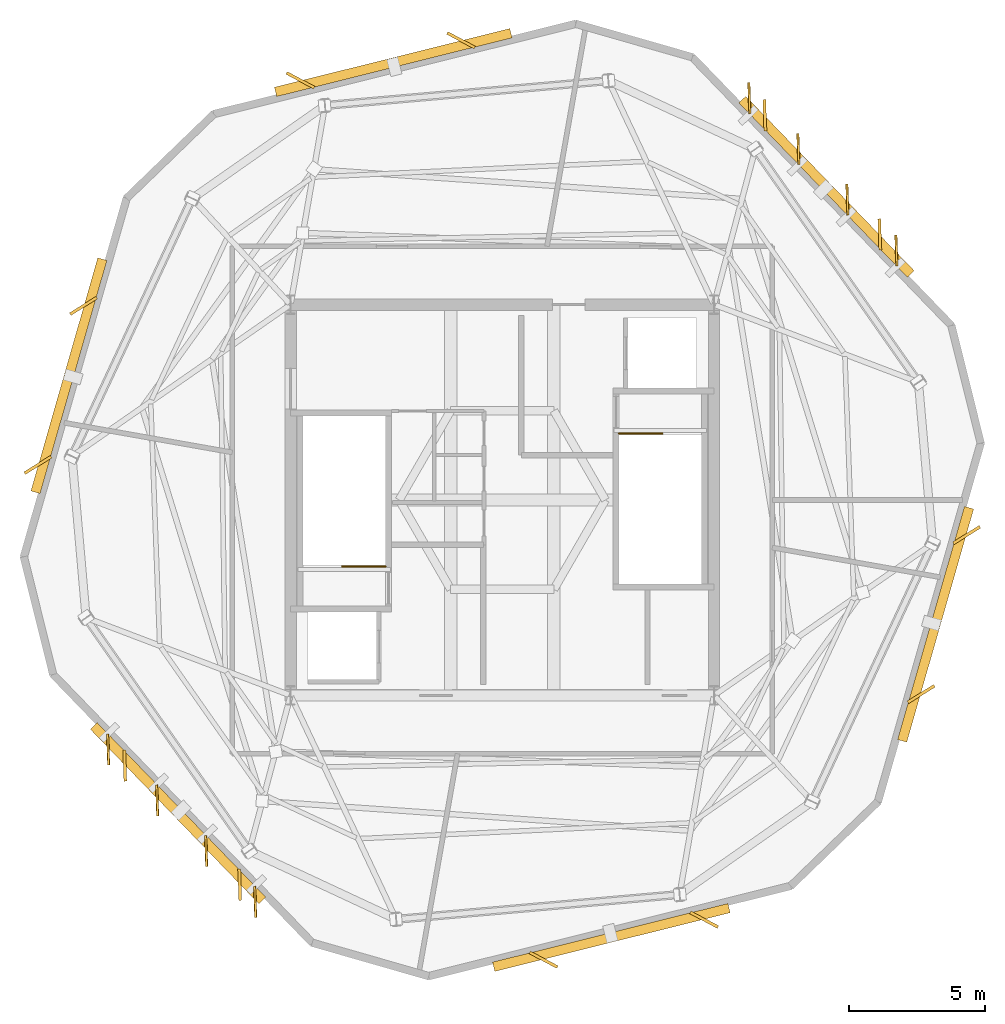
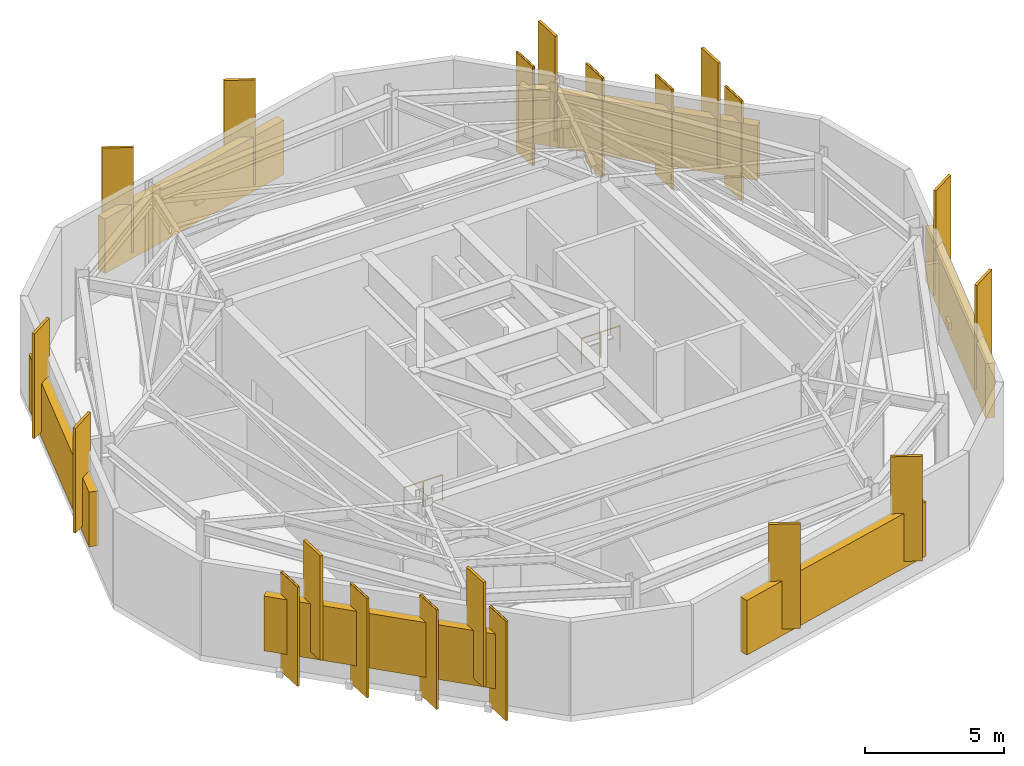
# One storey, part 5 of 5: 20 coverings, 14 shading devices, 2 railings.
"""IFC4 building model written with IfcOpenShell, lengths in metres."""

from ifc_helpers import new_model, si_unit, direction, frame, origin, origin_2d, place, context, subcontext, project, spatial, rectangle, circle, extrude, material, layer, layer_set, type_object, element, save


model = new_model("IFC4")

# Units and contexts
model_context = context("Model", 3, precision=1e-05, world=origin(), true_north=direction((0.0, 1.0)))
body_context = subcontext(model_context, "Body", "Model", "MODEL_VIEW")
ifc_project = project(units=[si_unit("LENGTHUNIT", "METRE"), si_unit("AREAUNIT", "SQUARE_METRE"), si_unit("VOLUMEUNIT", "CUBIC_METRE"), si_unit("PLANEANGLEUNIT", "RADIAN"), si_unit("MASSUNIT", "GRAM", prefix="KILO")], contexts=[model_context])

# Site, building, storey
site_placement = place(None, origin())
site = spatial("IfcSite", under=ifc_project, at=site_placement, CompositionType="ELEMENT")
building_placement = place(site_placement, origin())
building = spatial("IfcBuilding", under=site, at=building_placement, Name="Kranzbogen Civic Tower", CompositionType="ELEMENT")
storey_placement = place(building_placement, frame((0.0, 0.0, 322.60009765625)))
storey = spatial("IfcBuildingStorey", under=building, at=storey_placement, Name="L78", CompositionType="ELEMENT", Elevation=322.60009765625)

# Coverings
ifc_material_1 = material(Name="Pale Anodised Aluminium", Category="aluminium")
ifc_layer = layer(ifc_material_1, 0.02490234375, Name="Pale Anodised Aluminium")
ifc_layer_set = layer_set([ifc_layer], Name="Pale Anodised Aluminium")
covering_type = type_object("IfcCoveringType", Name="Anodised Aluminium Vertical Fin Cladding 25 mm", PredefinedType="CLADDING", material=ifc_layer_set)
for number, where, z_axis, x_axis, name in (
    (1, (10.47802734375, 15.803955078125, -0.14013671875), (0.0, 0.0, 1.0), (0.034899496703, -0.999390827019, 0.0), "L78 vertical fin pale-metal cladding F3-1"),
    (2, (12.283935546875, 13.93310546875, -0.14013671875), (0.0, 0.0, 1.0), (0.034899496703, -0.999390827019, 0.0), "L78 vertical fin pale-metal cladding F3-2"),
    (3, (14.090087890625, 12.06298828125, -0.14013671875), (0.0, 0.0, 1.0), (0.034899496703, -0.999390827019, 0.0), "L78 vertical fin pale-metal cladding F3-3"),
    (4, (15.89599609375, 10.193115234375, -0.14013671875), (0.0, 0.0, 1.0), (0.034899496703, -0.999390827019, 0.0), "L78 vertical fin pale-metal cladding F3-4"),
    (5, (39.52197265625, 34.196044921875, -0.14013671875), (0.0, 0.0, 1.0), (-0.034899496703, 0.999390827019, 0.0), "L78 vertical fin pale-metal cladding F6-1"),
    (6, (37.716064453125, 36.06689453125, -0.14013671875), (0.0, 0.0, 1.0), (-0.034899496703, 0.999390827019, 0.0), "L78 vertical fin pale-metal cladding F6-2"),
    (7, (35.909912109375, 37.93701171875, -0.14013671875), (0.0, 0.0, 1.0), (-0.034899496703, 0.999390827019, 0.0), "L78 vertical fin pale-metal cladding F6-3"),
    (8, (34.10400390625, 39.806884765625, -0.14013671875), (0.0, 0.0, 1.0), (-0.034899496703, 0.999390827019, 0.0), "L78 vertical fin pale-metal cladding F6-4"),
):
    element("IfcCovering", number, at=place(storey_placement, frame(where, z_axis=z_axis, x_axis=x_axis)), inside=storey, type_object=covering_type, Name=name, PredefinedType="CLADDING", context=body_context, shape_type="SweptSolid", body=[
        extrude(rectangle(XDim=1.14990234375, YDim=0.094970703125, at=origin_2d()), origin(), (0.0, 0.0, 1.0), 4.360107421875),
    ])
for number, where, z_axis, x_axis, name in (
    (9, (23.47802734375, 41.93994140625, 1.14990234375), (0.0, 0.0, 1.0), (-0.882947592859, 0.469471562786, 0.0), "L78 crown roof framing vertical fin F1-1"),
    (10, (17.56201171875, 40.465087890625, 1.14990234375), (0.0, 0.0, 1.0), (-0.882947592859, 0.469471562786, 0.0), "L78 crown roof framing vertical fin F1-2"),
    (11, (9.569091796875, 32.152099609375, 1.14990234375), (0.0, 0.0, 1.0), (-0.848048096156, -0.529919264233, 0.0), "L78 crown roof framing vertical fin F2-1"),
    (12, (7.888916015625, 26.291015625, 1.14990234375), (0.0, 0.0, 1.0), (-0.848048096156, -0.529919264233, 0.0), "L78 crown roof framing vertical fin F2-2"),
    (13, (11.091064453125, 15.2119140625, 1.14990234375), (0.0, 0.0, 1.0), (0.034899496703, -0.999390827019, 0.0), "L78 crown roof framing vertical fin F3-1"),
    (14, (15.325927734375, 10.825927734375, 1.14990234375), (0.0, 0.0, 1.0), (0.034899496703, -0.999390827019, 0.0), "L78 crown roof framing vertical fin F3-2"),
    (15, (26.52197265625, 8.06005859375, 1.14990234375), (0.0, 0.0, 1.0), (0.882947592859, -0.469471562786, 0.0), "L78 crown roof framing vertical fin F4-1"),
    (16, (32.43798828125, 9.534912109375, 1.14990234375), (0.0, 0.0, 1.0), (0.882947592859, -0.469471562786, 0.0), "L78 crown roof framing vertical fin F4-2"),
    (17, (40.430908203125, 17.847900390625, 1.14990234375), (0.0, 0.0, 1.0), (0.848048096156, 0.529919264233, 0.0), "L78 crown roof framing vertical fin F5-1"),
    (18, (42.111083984375, 23.708984375, 1.14990234375), (0.0, 0.0, 1.0), (0.848048096156, 0.529919264233, 0.0), "L78 crown roof framing vertical fin F5-2"),
    (19, (38.908935546875, 34.7880859375, 1.14990234375), (0.0, 0.0, 1.0), (-0.034899496703, 0.999390827019, 0.0), "L78 crown roof framing vertical fin F6-1"),
    (20, (34.674072265625, 39.174072265625, 1.14990234375), (0.0, 0.0, 1.0), (-0.034899496703, 0.999390827019, 0.0), "L78 crown roof framing vertical fin F6-2"),
):
    element("IfcCovering", number, at=place(storey_placement, frame(where, z_axis=z_axis, x_axis=x_axis)), inside=storey, type_object=covering_type, Name=name, PredefinedType="CLADDING", context=body_context, shape_type="SweptSolid", body=[
        extrude(rectangle(XDim=1.14990234375, YDim=0.110107421875, at=origin_2d()), origin(), (0.0, 0.0, 1.0), 4.60009765625),
    ])

# Railings
ifc_material_2 = material(Name="Steel S355", Category="steel")
railing_type = type_object("IfcRailingType", Name="Internal Stair and Void Steel Guardrail 1150", PredefinedType="GUARDRAIL", material=ifc_material_2)
railing_1_placement = place(storey_placement, frame((20.699951171875, 22.550048828125, 0.0)))
element("IfcRailing", 21, at=railing_1_placement, inside=storey, type_object=railing_type, Name="L78 ST-T1 top well guard 1", PredefinedType="GUARDRAIL", context=body_context, shape_type="SweptSolid", body=[
    extrude(circle(Radius=0.02392578125, at=origin_2d()), frame((0.0, 0.0, 1.1259765625), z_axis=(-1.0, 0.0, 0.0), x_axis=(0.0, -1.0, 0.0)), (0.0, 0.0, 1.0), 1.599853515625),
    extrude(circle(Radius=0.02099609375, at=origin_2d()), origin(), (0.0, 0.0, 1.0), 1.101806640625),
    extrude(circle(Radius=0.02099609375, at=origin_2d()), frame((-0.7998046875, 0.0, 0.0)), (0.0, 0.0, 1.0), 1.101806640625),
    extrude(circle(Radius=0.02099609375, at=origin_2d()), frame((-1.599853515625, 0.0, 0.0)), (0.0, 0.0, 1.0), 1.101806640625),
])
railing_2_placement = place(storey_placement, frame((29.300048828125, 27.449951171875, 0.0)))
element("IfcRailing", 22, at=railing_2_placement, inside=storey, type_object=railing_type, Name="L78 ST-T2 top well guard 1", PredefinedType="GUARDRAIL", context=body_context, shape_type="SweptSolid", body=[
    extrude(circle(Radius=0.02392578125, at=origin_2d()), frame((0.0, 0.0, 1.1259765625), z_axis=(1.0, 0.0, 0.0), x_axis=(0.0, 1.0, 0.0)), (0.0, 0.0, 1.0), 1.599853515625),
    extrude(circle(Radius=0.02099609375, at=origin_2d()), origin(), (0.0, 0.0, 1.0), 1.101806640625),
    extrude(circle(Radius=0.02099609375, at=origin_2d()), frame((0.7998046875, 0.0, 0.0)), (0.0, 0.0, 1.0), 1.101806640625),
    extrude(circle(Radius=0.02099609375, at=origin_2d()), frame((1.599853515625, 0.0, 0.0)), (0.0, 0.0, 1.0), 1.101806640625),
])

# Shading devices
shading_device_type_1 = type_object("IfcShadingDeviceType", Name="Pale Anodised Aluminium Crown Fin 1150x75", PredefinedType="USERDEFINED", material=ifc_material_1)
for number, where, z_axis, x_axis, name in (
    (23, (10.47802734375, 15.803955078125, -0.14013671875), (0.0, 0.0, 1.0), (0.034899496703, -0.999390827019, 0.0), "L78 vertical exterior shading fin F3-1"),
    (24, (12.283935546875, 13.93310546875, -0.14013671875), (0.0, 0.0, 1.0), (0.034899496703, -0.999390827019, 0.0), "L78 vertical exterior shading fin F3-2"),
    (25, (14.090087890625, 12.06298828125, -0.14013671875), (0.0, 0.0, 1.0), (0.034899496703, -0.999390827019, 0.0), "L78 vertical exterior shading fin F3-3"),
    (26, (15.89599609375, 10.193115234375, -0.14013671875), (0.0, 0.0, 1.0), (0.034899496703, -0.999390827019, 0.0), "L78 vertical exterior shading fin F3-4"),
    (27, (39.52197265625, 34.196044921875, -0.14013671875), (0.0, 0.0, 1.0), (-0.034899496703, 0.999390827019, 0.0), "L78 vertical exterior shading fin F6-1"),
    (28, (37.716064453125, 36.06689453125, -0.14013671875), (0.0, 0.0, 1.0), (-0.034899496703, 0.999390827019, 0.0), "L78 vertical exterior shading fin F6-2"),
    (29, (35.909912109375, 37.93701171875, -0.14013671875), (0.0, 0.0, 1.0), (-0.034899496703, 0.999390827019, 0.0), "L78 vertical exterior shading fin F6-3"),
    (30, (34.10400390625, 39.806884765625, -0.14013671875), (0.0, 0.0, 1.0), (-0.034899496703, 0.999390827019, 0.0), "L78 vertical exterior shading fin F6-4"),
):
    element("IfcShadingDevice", number, at=place(storey_placement, frame(where, z_axis=z_axis, x_axis=x_axis)), inside=storey, type_object=shading_device_type_1, Name=name, ObjectType="FIN", PredefinedType="USERDEFINED", context=body_context, shape_type="SweptSolid", body=[
        extrude(rectangle(XDim=1.14990234375, YDim=0.074951171875, at=origin_2d()), origin(), (0.0, 0.0, 1.0), 4.360107421875),
    ])
shading_device_type_2 = type_object("IfcShadingDeviceType", Name="Plant Band Acoustic Weather Louvre Module", PredefinedType="USERDEFINED", material=ifc_material_1)
shading_device_1_placement = place(storey_placement, frame((20.98193359375, 41.117919921875, 0.849853515625), z_axis=(0.0, 0.0, 1.0), x_axis=(-0.970295726276, -0.2419218956, 0.0)))
element("IfcShadingDevice", 31, at=shading_device_1_placement, inside=storey, type_object=shading_device_type_2, Name="L78 acoustic intake louvre 1", ObjectType="LOUVRE", PredefinedType="USERDEFINED", context=body_context, shape_type="SweptSolid", body=[
    extrude(rectangle(XDim=8.9365234375, YDim=0.35009765625, at=origin_2d()), origin(), (0.0, 0.0, 1.0), 2.39990234375),
])
shading_device_2_placement = place(storey_placement, frame((9.032958984375, 29.5791015625, 0.849853515625), z_axis=(0.0, 0.0, 1.0), x_axis=(-0.275620578593, -0.961266506571, 0.0)))
element("IfcShadingDevice", 32, at=shading_device_2_placement, inside=storey, type_object=shading_device_type_2, Name="L78 acoustic intake louvre 2", ObjectType="LOUVRE", PredefinedType="USERDEFINED", context=body_context, shape_type="SweptSolid", body=[
    extrude(rectangle(XDim=8.935791015625, YDim=0.35009765625, at=origin_2d()), origin(), (0.0, 0.0, 1.0), 2.39990234375),
])
shading_device_3_placement = place(storey_placement, frame((13.051025390625, 13.4609375, 0.849853515625), z_axis=(0.0, 0.0, 1.0), x_axis=(0.69463326034, -0.719364048052, 0.0)))
element("IfcShadingDevice", 33, at=shading_device_3_placement, inside=storey, type_object=shading_device_type_2, Name="L78 acoustic intake louvre 3", ObjectType="LOUVRE", PredefinedType="USERDEFINED", context=body_context, shape_type="SweptSolid", body=[
    extrude(rectangle(XDim=8.936279296875, YDim=0.35009765625, at=origin_2d()), origin(), (0.0, 0.0, 1.0), 2.39990234375),
])
shading_device_4_placement = place(storey_placement, frame((29.01806640625, 8.882080078125, 0.849853515625), z_axis=(0.0, 0.0, 1.0), x_axis=(0.970295726276, 0.2419218956, 0.0)))
element("IfcShadingDevice", 34, at=shading_device_4_placement, inside=storey, type_object=shading_device_type_2, Name="L78 acoustic intake louvre 4", ObjectType="LOUVRE", PredefinedType="USERDEFINED", context=body_context, shape_type="SweptSolid", body=[
    extrude(rectangle(XDim=8.9365234375, YDim=0.35009765625, at=origin_2d()), origin(), (0.0, 0.0, 1.0), 2.39990234375),
])
shading_device_5_placement = place(storey_placement, frame((40.967041015625, 20.4208984375, 0.849853515625), z_axis=(0.0, 0.0, 1.0), x_axis=(0.275620578593, 0.961266506571, 0.0)))
element("IfcShadingDevice", 35, at=shading_device_5_placement, inside=storey, type_object=shading_device_type_2, Name="L78 acoustic intake louvre 5", ObjectType="LOUVRE", PredefinedType="USERDEFINED", context=body_context, shape_type="SweptSolid", body=[
    extrude(rectangle(XDim=8.935791015625, YDim=0.35009765625, at=origin_2d()), origin(), (0.0, 0.0, 1.0), 2.39990234375),
])
shading_device_6_placement = place(storey_placement, frame((36.948974609375, 36.5390625, 0.849853515625), z_axis=(0.0, 0.0, 1.0), x_axis=(-0.69463326034, 0.719364048052, 0.0)))
element("IfcShadingDevice", 36, at=shading_device_6_placement, inside=storey, type_object=shading_device_type_2, Name="L78 acoustic intake louvre 6", ObjectType="LOUVRE", PredefinedType="USERDEFINED", context=body_context, shape_type="SweptSolid", body=[
    extrude(rectangle(XDim=8.936279296875, YDim=0.35009765625, at=origin_2d()), origin(), (0.0, 0.0, 1.0), 2.39990234375),
])

save(model, "model.ifc")
